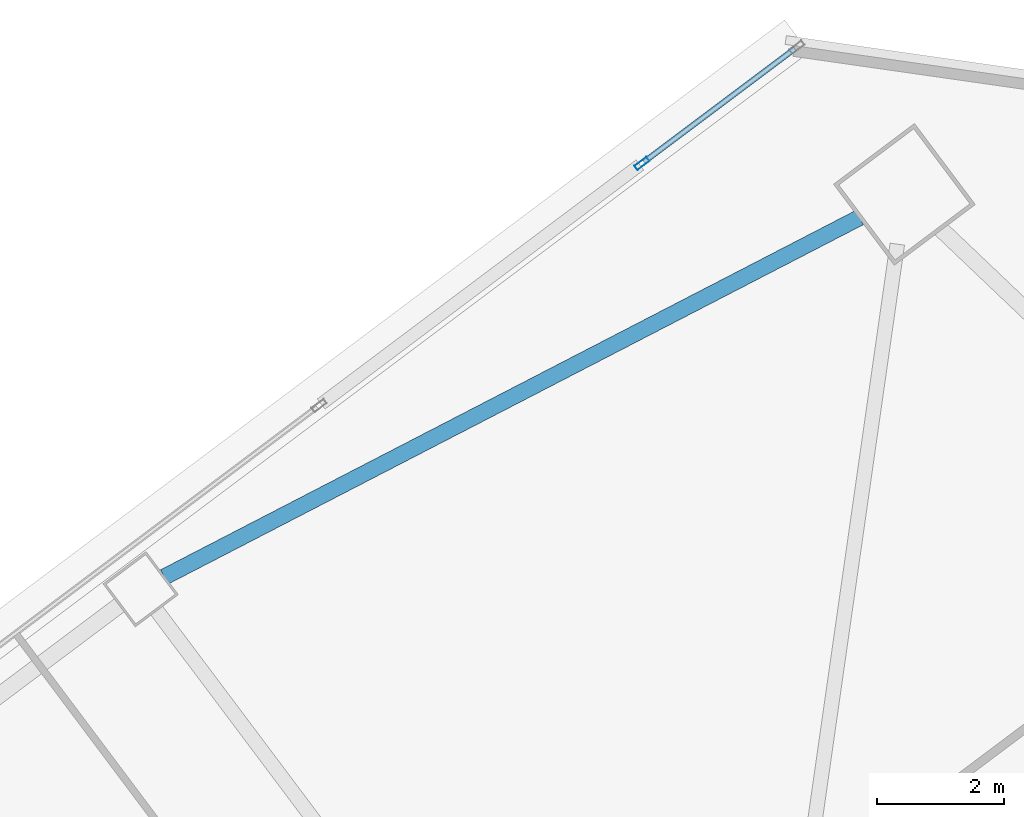
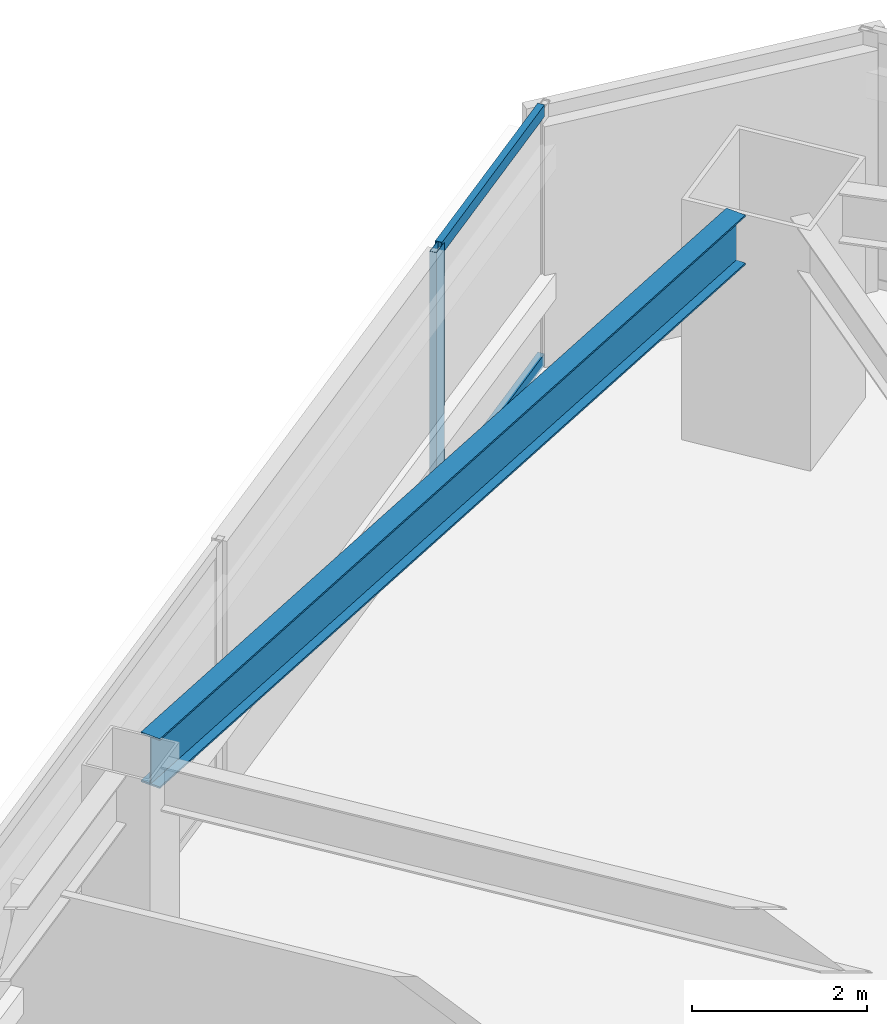
# One storey, part 33 of 51: 3 members, 1 beam, 1 element without a shape of its own.
"""IFC4 building model written with IfcOpenShell, lengths in metres."""

from ifc_helpers import new_model, si_unit, direction, frame, origin, origin_2d, place, context, subcontext, project, spatial, hollow_rectangle, i_section, extrude, material, material_profile, profile_set, type_object, element, aggregate, save


model = new_model("IFC4")

# Units and contexts
model_context = context("Model", 3, precision=1e-05, world=origin(), true_north=direction((0.0, 1.0)))
body_context = subcontext(model_context, "Body", "Model", "MODEL_VIEW")
ifc_project = project(units=[si_unit("LENGTHUNIT", "METRE"), si_unit("AREAUNIT", "SQUARE_METRE"), si_unit("VOLUMEUNIT", "CUBIC_METRE"), si_unit("PLANEANGLEUNIT", "RADIAN"), si_unit("MASSUNIT", "GRAM", prefix="KILO")], contexts=[model_context])

# Site, building, storey
site_placement = place(None, origin())
site = spatial("IfcSite", under=ifc_project, at=site_placement, CompositionType="ELEMENT")
building_placement = place(site_placement, origin())
building = spatial("IfcBuilding", under=site, at=building_placement, Name="Tashvorn Skyway Center", CompositionType="ELEMENT")
storey_placement = place(building_placement, frame((0.0, 0.0, 49.449951171875)))
storey = spatial("IfcBuildingStorey", under=building, at=storey_placement, Name="L12", CompositionType="ELEMENT", Elevation=49.449951171875)

# Beam
ifc_material_1 = material(Name="Steel ASTM A992 Grade 50", Category="steel")
ifc_material_profile_1 = material_profile(ifc_material_1, i_section(OverallWidth=0.256103515625, OverallDepth=0.693115234375, WebThickness=0.014404296875, FlangeThickness=0.023681640625, at=origin_2d()), Name="W27X114")
ifc_profile_set_1 = profile_set([ifc_material_profile_1], Name="Steel ASTM A992 Grade 50")
beam_type = type_object("IfcBeamType", Name="BM-SPANDREL-W27X114", PredefinedType="SPANDREL", material=ifc_profile_set_1)
beam_placement = place(storey_placement, frame((117.0537109375, 57.954833984375, 3.003662109375), z_axis=(-0.888315637339, -0.459233413919, 0.0), x_axis=(0.459233413919, -0.888315637339, 0.0)))
element("IfcBeam", 1, at=beam_placement, inside=storey, type_object=beam_type, Name="Tower 2 L12 Spandrel Beam 07", PredefinedType="SPANDREL", context=body_context, shape_type="SweptSolid", body=[
    extrude(i_section(OverallWidth=0.256103515625, OverallDepth=0.693115234375, WebThickness=0.014404296875, FlangeThickness=0.023681640625, at=origin_2d()), origin(), (0.0, 0.0, 1.0), 12.37255859375),
])

# Curtain wall, members
ifc_material_2 = material(Name="Thermally broken bronze-anodized aluminium 6063-T6", Category="aluminium")
curtain_wall_type = type_object("IfcCurtainWallType", Name="CW-CW-Z1", PredefinedType="NOTDEFINED", material=ifc_material_2)
curtain_wall_placement = place(storey_placement, origin())
curtain_wall = element("IfcCurtainWall", 2, at=curtain_wall_placement, inside=storey, type_object=curtain_wall_type, Name="Tower 2 L12 North Unitised Curtain Wall Glazing Group 3", PredefinedType="NOTDEFINED")
ifc_material_profile_2 = material_profile(ifc_material_2, hollow_rectangle(XDim=0.0849609375, YDim=0.239990234375, WallThickness=0.0048828125, at=origin_2d()), Name="ALU-MULL-85x240")
ifc_profile_set_2 = profile_set([ifc_material_profile_2], Name="Thermally broken bronze-anodized aluminium 6063-T6")
member_type_1 = type_object("IfcMemberType", Name="CWM-CW-Z1", PredefinedType="MULLION", material=ifc_profile_set_2)
member_1_placement = place(storey_placement, frame((113.61279296875, 58.8095703125, 0.0), z_axis=(0.0, 0.0, 1.0), x_axis=(-0.600005084776, 0.799996186392, 0.0)))
member_1 = element("IfcMember", 3, at=member_1_placement, type_object=member_type_1, Name="CW-Z1 mullion 1", PredefinedType="MULLION", context=body_context, shape_type="SweptSolid", body=[
    extrude(hollow_rectangle(XDim=0.0849609375, YDim=0.239990234375, WallThickness=0.0048828125, at=origin_2d()), origin(), (0.0, 0.0, 1.0), 3.550048828125),
])
ifc_material_profile_3 = material_profile(ifc_material_2, hollow_rectangle(XDim=0.0849609375, YDim=0.1650390625, WallThickness=0.0048828125, at=origin_2d()), Name="ALU-TRAN-85x165")
ifc_profile_set_3 = profile_set([ifc_material_profile_3], Name="Thermally broken bronze-anodized aluminium 6063-T6")
member_type_2 = type_object("IfcMemberType", Name="CWT-CW-Z1", PredefinedType="USERDEFINED", material=ifc_profile_set_3)
member_2_placement = place(storey_placement, frame((113.646728515625, 58.8349609375, 0.04248046875), z_axis=(0.799980315822, 0.600026244674, 0.0), x_axis=(-0.600026244674, 0.799980315822, 0.0)))
member_2 = element("IfcMember", 4, at=member_2_placement, type_object=member_type_2, Name="CW-Z1 transom 1.1", ObjectType="TRANSOM", PredefinedType="USERDEFINED", context=body_context, shape_type="SweptSolid", body=[
    extrude(hollow_rectangle(XDim=0.0849609375, YDim=0.1650390625, WallThickness=0.0048828125, at=origin_2d()), origin(), (0.0, 0.0, 1.0), 2.976806640625),
])
member_3_placement = place(storey_placement, frame((113.646728515625, 58.8349609375, 3.507568359375), z_axis=(0.799980315822, 0.600026244674, 0.0), x_axis=(-0.600026244674, 0.799980315822, 0.0)))
member_3 = element("IfcMember", 5, at=member_3_placement, type_object=member_type_2, Name="CW-Z1 transom 1.2", ObjectType="TRANSOM", PredefinedType="USERDEFINED", context=body_context, shape_type="SweptSolid", body=[
    extrude(hollow_rectangle(XDim=0.0849609375, YDim=0.1650390625, WallThickness=0.0048828125, at=origin_2d()), origin(), (0.0, 0.0, 1.0), 2.976806640625),
])
aggregate(curtain_wall, [member_1, member_2, member_3])

save(model, "model.ifc")
